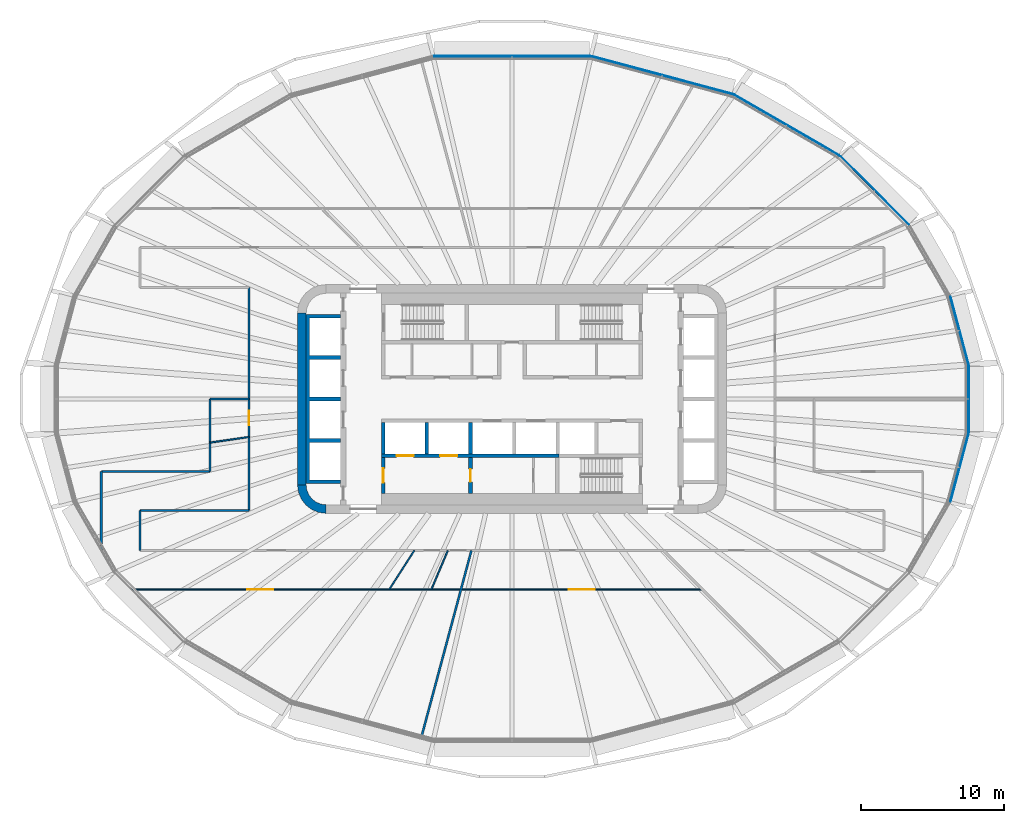
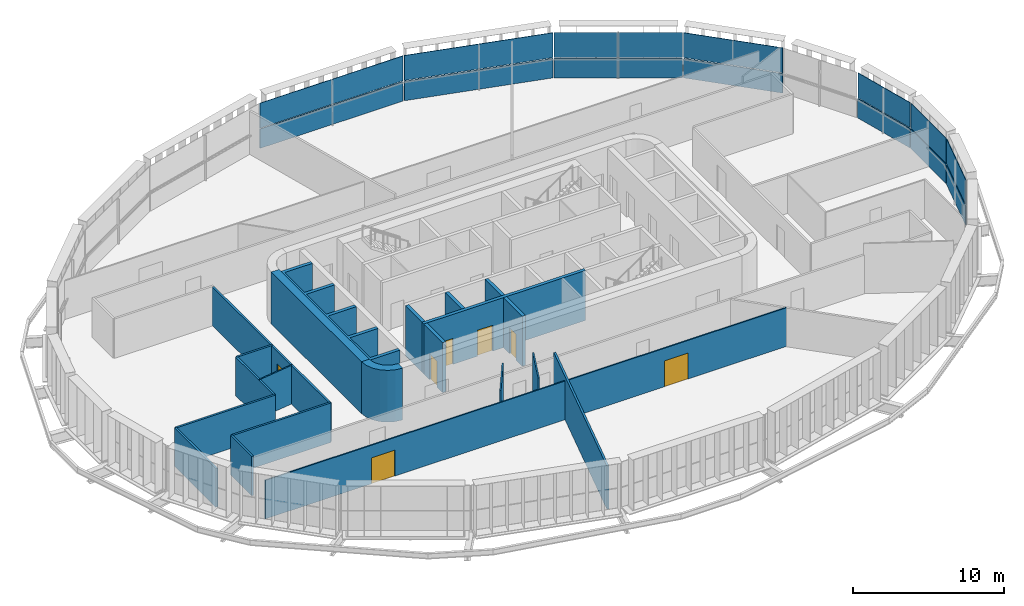
# One storey, part 14 of 25: 21 walls, 14 plates, 7 doors, 7 openings, 7 elements without a shape of their own.
"""IFC4 building model written with IfcOpenShell, lengths in metres."""

from ifc_helpers import new_model, si_unit, direction, frame, frame_2d, origin, place, context, subcontext, project, spatial, polyline, rectangle, outline, extrude, material, layer, layer_set, type_object, element, fill, aggregate, save


model = new_model("IFC4")

# Units and contexts
model_context = context("Model", 3, precision=1e-05, world=origin(), true_north=direction((0.0, 1.0)))
body_context = subcontext(model_context, "Body", "Model", "MODEL_VIEW")
ifc_project = project(units=[si_unit("LENGTHUNIT", "METRE"), si_unit("AREAUNIT", "SQUARE_METRE"), si_unit("VOLUMEUNIT", "CUBIC_METRE"), si_unit("PLANEANGLEUNIT", "RADIAN"), si_unit("MASSUNIT", "GRAM", prefix="KILO")], contexts=[model_context])

# Site, building, storey
site_placement = place(None, origin())
site = spatial("IfcSite", under=ifc_project, at=site_placement, CompositionType="ELEMENT")
building_placement = place(site_placement, origin())
building = spatial("IfcBuilding", under=site, at=building_placement, Name="Sahrelin Media Tower", CompositionType="ELEMENT")
storey_placement = place(building_placement, frame((0.0, 0.0, 110.39990234375)))
storey = spatial("IfcBuildingStorey", under=building, at=storey_placement, Name="L21", CompositionType="ELEMENT", Elevation=110.39990234375)

# Curtain wall, plate
ifc_material_1 = material(Name="Champagne anodised aluminium 6063-T6", Category="aluminium")
ifc_layer_1 = layer(ifc_material_1, 0.14990234375)
ifc_layer_set_1 = layer_set([ifc_layer_1], Name="Tower ribbon curtain wall")
curtain_wall_type = type_object("IfcCurtainWallType", Name="Tower ribbon curtain wall", PredefinedType="NOTDEFINED", material=ifc_layer_set_1)
curtain_wall_1_placement = place(storey_placement, frame((31.9443359375, 0.0, 0.0), z_axis=(0.0, 0.0, 1.0), x_axis=(1.0, 0.0, 0.0)))
curtain_wall_1 = element("IfcCurtainWall", 1, at=curtain_wall_1_placement, inside=storey, type_object=curtain_wall_type, Name="L21:CW:L21-00", PredefinedType="NOTDEFINED")
ifc_material_2 = material(Name="Clear low-iron glazing", Category="glass")
ifc_layer_2 = layer(ifc_material_2, 0.0400390625)
ifc_layer_set_2 = layer_set([ifc_layer_2], Name="Glazing panel 40 mm CW1")
plate_type_1 = type_object("IfcPlateType", Name="Glazing panel 40 mm CW1", PredefinedType="CURTAIN_PANEL", material=ifc_layer_set_2)
plate_1_placement = place(storey_placement, frame((31.96435546875, -2.337158203125, 1.630126953125), z_axis=(1.0, 0.0, 0.0), x_axis=(0.0, 1.0, 0.0)))
plate_1 = element("IfcPlate", 2, at=plate_1_placement, type_object=plate_type_1, Name="L21:CWP2:L21-00", PredefinedType="CURTAIN_PANEL", context=body_context, shape_type="SweptSolid", body=[
    extrude(outline(polyline([(0.0, 0.0), (4.67431640625, 0.0), (4.67431640625, 2.0185546875), (0.0, 2.0185546875), (0.0, 0.0)])), origin(), (0.0, 0.0, -1.0), 0.0400390625),
])

curtain_wall_2_placement = place(storey_placement, frame((31.298095703125, 4.798828125, 0.0), z_axis=(0.0, 0.0, 1.0), x_axis=(1.0, 0.0, 0.0)))
curtain_wall_2 = element("IfcCurtainWall", 3, at=curtain_wall_2_placement, inside=storey, type_object=curtain_wall_type, Name="L21:CW:L21-01", PredefinedType="NOTDEFINED")
plate_2_placement = place(storey_placement, frame((31.95068359375, 2.440673828125, 1.630126953125), z_axis=(0.965932017326, 0.258795938733, 0.0), x_axis=(-0.258795938733, 0.965932017326, 0.0)))
plate_2 = element("IfcPlate", 4, at=plate_2_placement, type_object=plate_type_1, Name="L21:CWP2:L21-01", PredefinedType="CURTAIN_PANEL", context=body_context, shape_type="SweptSolid", body=[
    extrude(outline(polyline([(0.0, 0.0), (4.893310546875, 0.0), (4.893310546875, 2.0185546875), (0.0, 2.0185546875), (0.0, 0.0)])), origin(), (0.0, 0.0, -1.0), 0.0400390625),
])

curtain_wall_3_placement = place(storey_placement, frame((25.371337890625, 14.5703125, 0.0), z_axis=(0.0, 0.0, 1.0), x_axis=(1.0, 0.0, 0.0)))
curtain_wall_3 = element("IfcCurtainWall", 5, at=curtain_wall_3_placement, inside=storey, type_object=curtain_wall_type, Name="L21:CW:L21-03", PredefinedType="NOTDEFINED")
plate_3_placement = place(storey_placement, frame((27.790283203125, 12.1796875, 1.630126953125), z_axis=(0.707106781187, 0.707106781187, 0.0), x_axis=(-0.707106781187, 0.707106781187, 0.0)))
plate_3 = element("IfcPlate", 6, at=plate_3_placement, type_object=plate_type_1, Name="L21:CWP2:L21-03", PredefinedType="CURTAIN_PANEL", context=body_context, shape_type="SweptSolid", body=[
    extrude(outline(polyline([(0.0, 0.0), (6.801513671875, 0.0), (6.801513671875, 2.0185546875), (0.0, 2.0185546875), (0.0, 0.0)])), origin(), (0.0, 0.0, -1.0), 0.0400390625),
])

curtain_wall_4_placement = place(storey_placement, frame((19.20751953125, 19.160400390625, 0.0), z_axis=(0.0, 0.0, 1.0), x_axis=(1.0, 0.0, 0.0)))
curtain_wall_4 = element("IfcCurtainWall", 7, at=curtain_wall_4_placement, inside=storey, type_object=curtain_wall_type, Name="L21:CW:L21-04", PredefinedType="NOTDEFINED")
plate_4_placement = place(storey_placement, frame((22.898193359375, 17.052490234375, 1.630126953125), z_axis=(0.499994284652, 0.866028703517, 0.0), x_axis=(-0.866028703517, 0.499994284652, 0.0)))
plate_4 = element("IfcPlate", 8, at=plate_4_placement, type_object=plate_type_1, Name="L21:CWP2:L21-04", PredefinedType="CURTAIN_PANEL", context=body_context, shape_type="SweptSolid", body=[
    extrude(outline(polyline([(0.0, 0.0), (8.5, 0.0), (8.5, 2.0185546875), (0.0, 2.0185546875), (0.0, 0.0)])), origin(), (0.0, 0.0, -1.0), 0.0400390625),
])

curtain_wall_5_placement = place(storey_placement, frame((10.507080078125, 22.643798828125, 0.0), z_axis=(0.0, 0.0, 1.0), x_axis=(1.0, 0.0, 0.0)))
curtain_wall_5 = element("IfcCurtainWall", 9, at=curtain_wall_5_placement, inside=storey, type_object=curtain_wall_type, Name="L21:CW:L21-05", PredefinedType="NOTDEFINED")
plate_5_placement = place(storey_placement, frame((15.4404296875, 21.342529296875, 1.630126953125), z_axis=(0.258816614048, 0.965926477685, 0.0), x_axis=(-0.965926477685, 0.258816614048, 0.0)))
plate_5 = element("IfcPlate", 10, at=plate_5_placement, type_object=plate_type_1, Name="L21:CWP2:L21-05", PredefinedType="CURTAIN_PANEL", context=body_context, shape_type="SweptSolid", body=[
    extrude(outline(polyline([(0.0, 0.0), (10.20361328125, 0.0), (10.20361328125, 2.0185546875), (0.0, 2.0185546875), (0.0, 0.0)])), origin(), (0.0, 0.0, -1.0), 0.0400390625),
])

curtain_wall_6_placement = place(storey_placement, frame((0.0, 23.97705078125, 0.0), z_axis=(0.0, 0.0, 1.0), x_axis=(1.0, 0.0, 0.0)))
curtain_wall_6 = element("IfcCurtainWall", 11, at=curtain_wall_6_placement, inside=storey, type_object=curtain_wall_type, Name="L21:CW:L21-06", PredefinedType="NOTDEFINED")
plate_6_placement = place(storey_placement, frame((5.48095703125, 23.9970703125, 1.630126953125), z_axis=(0.0, 1.0, 0.0), x_axis=(-1.0, 0.0, 0.0)))
plate_6 = element("IfcPlate", 12, at=plate_6_placement, type_object=plate_type_1, Name="L21:CWP2:L21-06", PredefinedType="CURTAIN_PANEL", context=body_context, shape_type="SweptSolid", body=[
    extrude(outline(polyline([(0.0, 0.0), (10.9619140625, 0.0), (10.9619140625, 2.0185546875), (0.0, 2.0185546875), (0.0, 0.0)])), origin(), (0.0, 0.0, -1.0), 0.0400390625),
])

curtain_wall_7_placement = place(storey_placement, frame((31.298095703125, -4.798583984375, 0.0), z_axis=(0.0, 0.0, 1.0), x_axis=(1.0, 0.0, 0.0)))
curtain_wall_7 = element("IfcCurtainWall", 13, at=curtain_wall_7_placement, inside=storey, type_object=curtain_wall_type, Name="L21:CW:L21-23", PredefinedType="NOTDEFINED")
plate_7_placement = place(storey_placement, frame((30.684326171875, -7.167236328125, 1.630126953125), z_axis=(0.965932017326, -0.258795938733, 0.0), x_axis=(0.258795938733, 0.965932017326, 0.0)))
plate_7 = element("IfcPlate", 14, at=plate_7_placement, type_object=plate_type_1, Name="L21:CWP2:L21-23", PredefinedType="CURTAIN_PANEL", context=body_context, shape_type="SweptSolid", body=[
    extrude(outline(polyline([(0.0, 0.0), (4.893310546875, 0.0), (4.893310546875, 2.0185546875), (0.0, 2.0185546875), (0.0, 0.0)])), origin(), (0.0, 0.0, -1.0), 0.0400390625),
])

# Plate
ifc_material_3 = material(Name="Insulated spandrel panel")
ifc_layer_3 = layer(ifc_material_3, 0.06005859375)
ifc_layer_set_3 = layer_set([ifc_layer_3], Name="Spandrel panel 60 mm CW1")
plate_type_2 = type_object("IfcPlateType", Name="Spandrel panel 60 mm CW1", PredefinedType="SHEET", material=ifc_layer_set_3)
plate_8_placement = place(storey_placement, frame((31.96435546875, -2.337158203125, 0.0), z_axis=(1.0, 0.0, 0.0), x_axis=(0.0, 1.0, 0.0)))
plate_8 = element("IfcPlate", 15, at=plate_8_placement, type_object=plate_type_2, Name="L21:CWP1:L21-00", PredefinedType="SHEET", context=body_context, shape_type="SweptSolid", body=[
    extrude(outline(polyline([(0.0, 0.0), (4.67431640625, 0.0), (4.67431640625, 1.570068359375), (0.0, 1.570068359375), (0.0, 0.0)])), origin(), (0.0, 0.0, -1.0), 0.06005859375),
])

aggregate(curtain_wall_1, [plate_8, plate_1])

plate_9_placement = place(storey_placement, frame((31.95068359375, 2.440673828125, 0.0), z_axis=(0.965932017326, 0.258795938733, 0.0), x_axis=(-0.258795938733, 0.965932017326, 0.0)))
plate_9 = element("IfcPlate", 16, at=plate_9_placement, type_object=plate_type_2, Name="L21:CWP1:L21-01", PredefinedType="SHEET", context=body_context, shape_type="SweptSolid", body=[
    extrude(outline(polyline([(0.0, 0.0), (4.893310546875, 0.0), (4.893310546875, 1.570068359375), (0.0, 1.570068359375), (0.0, 0.0)])), origin(), (0.0, 0.0, -1.0), 0.06005859375),
])

aggregate(curtain_wall_2, [plate_9, plate_2])

plate_10_placement = place(storey_placement, frame((27.790283203125, 12.1796875, 0.0), z_axis=(0.707106781187, 0.707106781187, 0.0), x_axis=(-0.707106781187, 0.707106781187, 0.0)))
plate_10 = element("IfcPlate", 17, at=plate_10_placement, type_object=plate_type_2, Name="L21:CWP1:L21-03", PredefinedType="SHEET", context=body_context, shape_type="SweptSolid", body=[
    extrude(outline(polyline([(0.0, 0.0), (6.801513671875, 0.0), (6.801513671875, 1.570068359375), (0.0, 1.570068359375), (0.0, 0.0)])), origin(), (0.0, 0.0, -1.0), 0.06005859375),
])

aggregate(curtain_wall_3, [plate_10, plate_3])

plate_11_placement = place(storey_placement, frame((22.898193359375, 17.052490234375, 0.0), z_axis=(0.499994284652, 0.866028703517, 0.0), x_axis=(-0.866028703517, 0.499994284652, 0.0)))
plate_11 = element("IfcPlate", 18, at=plate_11_placement, type_object=plate_type_2, Name="L21:CWP1:L21-04", PredefinedType="SHEET", context=body_context, shape_type="SweptSolid", body=[
    extrude(outline(polyline([(0.0, 0.0), (8.5, 0.0), (8.5, 1.570068359375), (0.0, 1.570068359375), (0.0, 0.0)])), origin(), (0.0, 0.0, -1.0), 0.06005859375),
])

aggregate(curtain_wall_4, [plate_11, plate_4])

plate_12_placement = place(storey_placement, frame((15.4404296875, 21.342529296875, 0.0), z_axis=(0.258816614048, 0.965926477685, 0.0), x_axis=(-0.965926477685, 0.258816614048, 0.0)))
plate_12 = element("IfcPlate", 19, at=plate_12_placement, type_object=plate_type_2, Name="L21:CWP1:L21-05", PredefinedType="SHEET", context=body_context, shape_type="SweptSolid", body=[
    extrude(outline(polyline([(0.0, 0.0), (10.20361328125, 0.0), (10.20361328125, 1.570068359375), (0.0, 1.570068359375), (0.0, 0.0)])), origin(), (0.0, 0.0, -1.0), 0.06005859375),
])

aggregate(curtain_wall_5, [plate_12, plate_5])

plate_13_placement = place(storey_placement, frame((5.48095703125, 23.9970703125, 0.0), z_axis=(0.0, 1.0, 0.0), x_axis=(-1.0, 0.0, 0.0)))
plate_13 = element("IfcPlate", 20, at=plate_13_placement, type_object=plate_type_2, Name="L21:CWP1:L21-06", PredefinedType="SHEET", context=body_context, shape_type="SweptSolid", body=[
    extrude(outline(polyline([(0.0, 0.0), (10.9619140625, 0.0), (10.9619140625, 1.570068359375), (0.0, 1.570068359375), (0.0, 0.0)])), origin(), (0.0, 0.0, -1.0), 0.06005859375),
])

aggregate(curtain_wall_6, [plate_13, plate_6])

plate_14_placement = place(storey_placement, frame((30.684326171875, -7.167236328125, 0.0), z_axis=(0.965932017326, -0.258795938733, 0.0), x_axis=(0.258795938733, 0.965932017326, 0.0)))
plate_14 = element("IfcPlate", 21, at=plate_14_placement, type_object=plate_type_2, Name="L21:CWP1:L21-23", PredefinedType="SHEET", context=body_context, shape_type="SweptSolid", body=[
    extrude(outline(polyline([(0.0, 0.0), (4.893310546875, 0.0), (4.893310546875, 1.570068359375), (0.0, 1.570068359375), (0.0, 0.0)])), origin(), (0.0, 0.0, -1.0), 0.06005859375),
])

aggregate(curtain_wall_7, [plate_14, plate_7])

# Walls
ifc_material_4 = material(Name="Concrete C60/75", Category="concrete")
ifc_layer_4 = layer(ifc_material_4, 0.60009765625)
ifc_layer_set_4 = layer_set([ifc_layer_4], Name="Core wall 600")
wall_type_1 = type_object("IfcWallType", Name="Core wall 600", PredefinedType="SHEAR", material=ifc_layer_set_4)
wall_1_placement = place(storey_placement, frame((-14.699951171875, -6.0, 0.0), z_axis=(0.0, 0.0, 1.0), x_axis=(0.0, 1.0, 0.0)))
element("IfcWall", 22, at=wall_1_placement, inside=storey, type_object=wall_type_1, Name="Core wall W L21", PredefinedType="SHEAR", context=body_context, shape_type="SweptSolid", body=[
    extrude(rectangle(XDim=12.0, YDim=0.60009765625, at=frame_2d((6.0, 0.0))), origin(), (0.0, 0.0, 1.0), 4.2001953125),
])
placement = place(storey_placement, origin())
element("IfcWall", 23, at=placement, inside=storey, type_object=wall_type_1, Name="Core wall corner SW L21", PredefinedType="SHEAR", context=body_context, shape_type="SweptSolid", body=[
    extrude(outline(polyline([(-13.0, -8.0), (-13.0, -7.394775390625), (-13.361083984375, -7.347412109375), (-13.697509765625, -7.2080078125), (-13.986328125, -6.986328125), (-14.2080078125, -6.697509765625), (-14.347412109375, -6.361083984375), (-14.394775390625, -6.0), (-15.0, -6.0), (-14.931884765625, -6.517578125), (-14.732177734375, -7.0), (-14.414306640625, -7.414306640625), (-14.0, -7.732177734375), (-13.517578125, -7.931884765625), (-13.0, -8.0)])), origin(), (0.0, 0.0, 1.0), 4.2001953125),
])
ifc_material_5 = material(Name="Fire-rated gypsum board partition")
ifc_layer_5 = layer(ifc_material_5, 0.14990234375)
ifc_layer_set_5 = layer_set([ifc_layer_5], Name="Fire-rated partition 150")
wall_type_2 = type_object("IfcWallType", Name="Fire-rated partition 150", PredefinedType="PARTITIONING", material=ifc_layer_set_5)
wall_3_placement = place(storey_placement, frame((-26.0, -7.800048828125, 0.0), z_axis=(0.0, 0.0, 1.0), x_axis=(1.0, 0.0, 0.0)))
element("IfcWall", 24, at=wall_3_placement, inside=storey, type_object=wall_type_2, Name="Wall", PredefinedType="PARTITIONING", context=body_context, shape_type="SweptSolid", body=[
    extrude(rectangle(XDim=7.60009765625, YDim=0.14990234375, at=frame_2d((3.800048828125, 0.0))), origin(), (0.0, 0.0, 1.0), 3.1953125),
])
wall_4_placement = place(storey_placement, frame((-28.719970703125, -5.080078125, 0.0), z_axis=(0.0, 0.0, 1.0), x_axis=(1.0, 0.0, 0.0)))
element("IfcWall", 25, at=wall_4_placement, inside=storey, type_object=wall_type_2, Name="Wall", PredefinedType="PARTITIONING", context=body_context, shape_type="SweptSolid", body=[
    extrude(rectangle(XDim=7.599853515625, YDim=0.14990234375, at=frame_2d((3.7998046875, 0.0))), origin(), (0.0, 0.0, 1.0), 3.127197265625),
])
wall_5_placement = place(storey_placement, frame((-21.1201171875, 0.0, 0.0), z_axis=(0.0, 0.0, 1.0), x_axis=(1.0, 0.0, 0.0)))
element("IfcWall", 26, at=wall_5_placement, inside=storey, type_object=wall_type_2, Name="Wall", PredefinedType="PARTITIONING", context=body_context, shape_type="SweptSolid", body=[
    extrude(rectangle(XDim=2.72021484375, YDim=0.14990234375, at=frame_2d((1.360107421875, 0.0))), origin(), (0.0, 0.0, 1.0), 3.118408203125),
])
wall_6_placement = place(storey_placement, frame((-6.364990234375, -23.75390625, 0.0), z_axis=(0.0, 0.0, 1.0), x_axis=(0.258859748235, 0.965914918998, 0.0)))
element("IfcWall", 27, at=wall_6_placement, inside=storey, type_object=wall_type_2, Name="Wall", PredefinedType="PARTITIONING", context=body_context, shape_type="SweptSolid", body=[
    extrude(rectangle(XDim=13.617919921875, YDim=0.14990234375, at=frame_2d((6.80908203125, 0.0))), origin(), (0.0, 0.0, 1.0), 3.501708984375),
])

# Wall, opening, door
wall_7_placement = place(storey_placement, frame((-18.39990234375, -7.800048828125, 0.0), z_axis=(0.0, 0.0, 1.0), x_axis=(0.0, 1.0, 0.0)))
wall_7 = element("IfcWall", 28, at=wall_7_placement, inside=storey, type_object=wall_type_2, Name="Wall", PredefinedType="PARTITIONING", context=body_context, shape_type="SweptSolid", body=[
    extrude(rectangle(XDim=15.60009765625, YDim=0.14990234375, at=frame_2d((7.800048828125, 0.0))), origin(), (0.0, 0.0, 1.0), 3.118408203125),
])
opening_1_placement = place(wall_7_placement, frame((5.971435546875, 0.0, 0.0)))
opening_1 = element("IfcOpeningElement", 29, at=opening_1_placement, cuts=wall_7, Name="Opening L21-D25", PredefinedType="OPENING", context=body_context, shape_type="SweptSolid", body=[
    extrude(rectangle(XDim=1.0, YDim=2.10009765625, at=frame_2d((0.5, 1.050048828125))), frame((0.0, 0.074951171875, 0.0), z_axis=(0.0, -1.0, 0.0), x_axis=(1.0, 0.0, 0.0)), (0.0, 0.0, 1.0), 0.14990234375),
])
ifc_material_6 = material(Name="Steel fire door leaf", Category="steel")
door_type_1 = type_object("IfcDoorType", Name="Fire door 1000 x 2100 EI 60", OperationType="NOTDEFINED", PredefinedType="DOOR", material=ifc_material_6)
door_1_placement = place(opening_1_placement, origin())
door_1 = element("IfcDoor", 30, at=door_1_placement, inside=storey, type_object=door_type_1, Name="Fire door", OperationType="SINGLE_SWING_LEFT", OverallHeight=2.10009765625, OverallWidth=1.0, PredefinedType="DOOR", context=body_context, shape_type="SweptSolid", body=[
    extrude(rectangle(XDim=1.0, YDim=2.10009765625, at=frame_2d((0.5, 1.050048828125))), frame((0.0, 0.02490234375, 0.0), z_axis=(0.0, -1.0, 0.0), x_axis=(1.0, 0.0, 0.0)), (0.0, 0.0, 1.0), 0.050048828125),
])
fill(opening_1, door_1)

# Walls
wall_8_placement = place(storey_placement, frame((-21.1201171875, -5.080078125, 0.0), z_axis=(0.0, 0.0, 1.0), x_axis=(0.0, 1.0, 0.0)))
element("IfcWall", 31, at=wall_8_placement, inside=storey, type_object=wall_type_2, Name="Wall", PredefinedType="PARTITIONING", context=body_context, shape_type="SweptSolid", body=[
    extrude(rectangle(XDim=5.080078125, YDim=0.14990234375, at=frame_2d((2.5400390625, 0.0))), origin(), (0.0, 0.0, 1.0), 3.118408203125),
])
wall_9_placement = place(storey_placement, frame((-26.0, -10.60009765625, 0.0), z_axis=(0.0, 0.0, 1.0), x_axis=(0.0, 1.0, 0.0)))
element("IfcWall", 32, at=wall_9_placement, inside=storey, type_object=wall_type_2, Name="Wall", PredefinedType="PARTITIONING", context=body_context, shape_type="SweptSolid", body=[
    extrude(rectangle(XDim=2.800048828125, YDim=0.14990234375, at=frame_2d((1.39990234375, 0.0))), origin(), (0.0, 0.0, 1.0), 3.1953125),
])
wall_10_placement = place(storey_placement, frame((-28.719970703125, -10.555908203125, 0.0), z_axis=(0.0, 0.0, 1.0), x_axis=(0.0, 1.0, 0.0)))
element("IfcWall", 33, at=wall_10_placement, inside=storey, type_object=wall_type_2, Name="Wall", PredefinedType="PARTITIONING", context=body_context, shape_type="SweptSolid", body=[
    extrude(rectangle(XDim=5.475830078125, YDim=0.14990234375, at=frame_2d((2.73779296875, 0.0))), origin(), (0.0, 0.0, 1.0), 3.127197265625),
])

# Wall, opening, door
ifc_layer_6 = layer(ifc_material_5, 0.25)
ifc_layer_set_6 = layer_set([ifc_layer_6], Name="Firefighting lobby wall 250")
wall_type_3 = type_object("IfcWallType", Name="Firefighting lobby wall 250", PredefinedType="PARTITIONING", material=ifc_layer_set_6)
wall_11_placement = place(storey_placement, frame((-9.0, -6.60009765625, 0.0), z_axis=(0.0, 0.0, 1.0), x_axis=(0.0, 1.0, 0.0)))
wall_11 = element("IfcWall", 34, at=wall_11_placement, inside=storey, type_object=wall_type_3, Name="Core wall", PredefinedType="PARTITIONING", context=body_context, shape_type="SweptSolid", body=[
    extrude(rectangle(XDim=2.5, YDim=0.25, at=frame_2d((1.25, 0.0))), origin(), (0.0, 0.0, 1.0), 4.050048828125),
])
opening_2_placement = place(wall_11_placement, frame((0.75, 0.0, 0.0)))
opening_2 = element("IfcOpeningElement", 35, at=opening_2_placement, cuts=wall_11, Name="Opening L21-D04", PredefinedType="OPENING", context=body_context, shape_type="SweptSolid", body=[
    extrude(rectangle(XDim=1.0, YDim=2.10009765625, at=frame_2d((0.5, 1.050048828125))), frame((0.0, 0.125, 0.0), z_axis=(0.0, -1.0, 0.0), x_axis=(1.0, 0.0, 0.0)), (0.0, 0.0, 1.0), 0.25),
])
door_type_2 = type_object("IfcDoorType", Name="Firefighting lobby door 1000 x 2100 EI 120", OperationType="NOTDEFINED", PredefinedType="DOOR", material=ifc_material_6)
door_2_placement = place(opening_2_placement, origin())
door_2 = element("IfcDoor", 36, at=door_2_placement, inside=storey, type_object=door_type_2, Name="Firefighting lobby door", OperationType="SINGLE_SWING_LEFT", OverallHeight=2.10009765625, OverallWidth=1.0, PredefinedType="DOOR", context=body_context, shape_type="SweptSolid", body=[
    extrude(rectangle(XDim=1.0, YDim=2.10009765625, at=frame_2d((0.5, 1.050048828125))), frame((0.0, 0.02490234375, 0.0), z_axis=(0.0, -1.0, 0.0), x_axis=(1.0, 0.0, 0.0)), (0.0, 0.0, 1.0), 0.050048828125),
])
fill(opening_2, door_2)

wall_12_placement = place(storey_placement, frame((-2.89990234375, -6.60009765625, 0.0), z_axis=(0.0, 0.0, 1.0), x_axis=(0.0, 1.0, 0.0)))
wall_12 = element("IfcWall", 37, at=wall_12_placement, inside=storey, type_object=wall_type_3, Name="Core wall", PredefinedType="PARTITIONING", context=body_context, shape_type="SweptSolid", body=[
    extrude(rectangle(XDim=2.5, YDim=0.25, at=frame_2d((1.25, 0.0))), origin(), (0.0, 0.0, 1.0), 4.050048828125),
])
opening_3_placement = place(wall_12_placement, frame((0.800048828125, 0.0, 0.0)))
opening_3 = element("IfcOpeningElement", 38, at=opening_3_placement, cuts=wall_12, Name="Opening L21-D05", PredefinedType="OPENING", context=body_context, shape_type="SweptSolid", body=[
    extrude(rectangle(XDim=0.89990234375, YDim=2.10009765625, at=frame_2d((0.449951171875, 1.050048828125))), frame((0.0, 0.125, 0.0), z_axis=(0.0, -1.0, 0.0), x_axis=(1.0, 0.0, 0.0)), (0.0, 0.0, 1.0), 0.25),
])
door_type_3 = type_object("IfcDoorType", Name="Firefighting lobby door 900 x 2100 EI 120", OperationType="NOTDEFINED", PredefinedType="DOOR", material=ifc_material_6)
door_3_placement = place(opening_3_placement, origin())
door_3 = element("IfcDoor", 39, at=door_3_placement, inside=storey, type_object=door_type_3, Name="Riser door", OperationType="SINGLE_SWING_RIGHT", OverallHeight=2.10009765625, OverallWidth=0.89990234375, PredefinedType="DOOR", context=body_context, shape_type="SweptSolid", body=[
    extrude(rectangle(XDim=0.89990234375, YDim=2.10009765625, at=frame_2d((0.449951171875, 1.050048828125))), frame((0.0, 0.02490234375, 0.0), z_axis=(0.0, -1.0, 0.0), x_axis=(1.0, 0.0, 0.0)), (0.0, 0.0, 1.0), 0.050048828125),
])
fill(opening_3, door_3)

# Wall, openings, doors
ifc_layer_7 = layer(ifc_material_4, 0.25)
ifc_layer_set_7 = layer_set([ifc_layer_7], Name="Lift shaft wall 250")
wall_type_4 = type_object("IfcWallType", Name="Lift shaft wall 250", PredefinedType="SOLIDWALL", material=ifc_layer_set_7)
wall_13_placement = place(storey_placement, frame((-9.125, -3.97509765625, 0.0), z_axis=(0.0, 0.0, 1.0), x_axis=(1.0, 0.0, 0.0)))
wall_13 = element("IfcWall", 40, at=wall_13_placement, inside=storey, type_object=wall_type_4, Name="Lift shaft wall", PredefinedType="SOLIDWALL", context=body_context, shape_type="SweptSolid", body=[
    extrude(rectangle(XDim=12.39990234375, YDim=0.25, at=frame_2d((6.199951171875, 0.0))), origin(), (0.0, 0.0, 1.0), 4.050048828125),
])
opening_4_placement = place(wall_13_placement, frame((1.050048828125, 0.0, 0.0)))
opening_4 = element("IfcOpeningElement", 41, at=opening_4_placement, cuts=wall_13, Name="Opening L21-LD-FF1", PredefinedType="OPENING", context=body_context, shape_type="SweptSolid", body=[
    extrude(rectangle(XDim=1.199951171875, YDim=2.10009765625, at=frame_2d((0.60009765625, 1.050048828125))), frame((0.0, 0.125, 0.0), z_axis=(0.0, -1.0, 0.0), x_axis=(1.0, 0.0, 0.0)), (0.0, 0.0, 1.0), 0.25),
])
opening_5_placement = place(wall_13_placement, frame((4.10009765625, 0.0, 0.0)))
opening_5 = element("IfcOpeningElement", 42, at=opening_5_placement, cuts=wall_13, Name="Opening L21-LD-FF2", PredefinedType="OPENING", context=body_context, shape_type="SweptSolid", body=[
    extrude(rectangle(XDim=1.199951171875, YDim=2.10009765625, at=frame_2d((0.60009765625, 1.050048828125))), frame((0.0, 0.125, 0.0), z_axis=(0.0, -1.0, 0.0), x_axis=(1.0, 0.0, 0.0)), (0.0, 0.0, 1.0), 0.25),
])
ifc_material_7 = material(Name="Stainless steel", Category="steel")
door_type_4 = type_object("IfcDoorType", Name="Lift landing door 1200 x 2100 EI 120", OperationType="DOUBLE_DOOR_SLIDING", PredefinedType="DOOR", material=ifc_material_7)
door_4_placement = place(opening_4_placement, origin())
door_4 = element("IfcDoor", 43, at=door_4_placement, inside=storey, type_object=door_type_4, Name="Lift landing door FF1", OperationType="DOUBLE_DOOR_SLIDING", OverallHeight=2.10009765625, OverallWidth=1.199951171875, PredefinedType="DOOR", context=body_context, shape_type="SweptSolid", body=[
    extrude(rectangle(XDim=1.199951171875, YDim=2.10009765625, at=frame_2d((0.60009765625, 1.050048828125))), frame((0.0, 0.02490234375, 0.0), z_axis=(0.0, -1.0, 0.0), x_axis=(1.0, 0.0, 0.0)), (0.0, 0.0, 1.0), 0.050048828125),
])
fill(opening_4, door_4)
door_5_placement = place(opening_5_placement, origin())
door_5 = element("IfcDoor", 44, at=door_5_placement, inside=storey, type_object=door_type_4, Name="Lift landing door FF2", OperationType="DOUBLE_DOOR_SLIDING", OverallHeight=2.10009765625, OverallWidth=1.199951171875, PredefinedType="DOOR", context=body_context, shape_type="SweptSolid", body=[
    extrude(rectangle(XDim=1.199951171875, YDim=2.10009765625, at=frame_2d((0.60009765625, 1.050048828125))), frame((0.0, 0.02490234375, 0.0), z_axis=(0.0, -1.0, 0.0), x_axis=(1.0, 0.0, 0.0)), (0.0, 0.0, 1.0), 0.050048828125),
])
fill(opening_5, door_5)

# Walls
for number, where, z_axis, x_axis, name in (
    (45, (-9.0, -3.85009765625, 0.0), (0.0, 0.0, 1.0), (0.0, 1.0, 0.0), "Lift shaft wall"),
    (46, (-5.949951171875, -3.85009765625, 0.0), (0.0, 0.0, 1.0), (0.0, 1.0, 0.0), "Lift shaft wall"),
    (47, (-2.89990234375, -3.85009765625, 0.0), (0.0, 0.0, 1.0), (0.0, 1.0, 0.0), "Lift shaft wall"),
):
    element("IfcWall", number, at=place(storey_placement, frame(where, z_axis=z_axis, x_axis=x_axis)), inside=storey, type_object=wall_type_4, Name=name, PredefinedType="SOLIDWALL", context=body_context, shape_type="SweptSolid", body=[
        extrude(rectangle(XDim=2.2001953125, YDim=0.25, at=frame_2d((1.10009765625, 0.0))), origin(), (0.0, 0.0, 1.0), 4.050048828125),
    ])
element("IfcWall", 48, at=placement, inside=storey, type_object=wall_type_4, Name="Lift shaft wall", PredefinedType="SOLIDWALL", context=body_context, shape_type="SweptSolid", body=[
    extrude(outline(polyline([(-12.0, -5.925048828125), (-12.0, -5.675048828125), (-14.14990234375, -5.675048828125), (-14.14990234375, -3.02490234375), (-12.0, -3.02490234375), (-12.0, -2.77490234375), (-14.14990234375, -2.77490234375), (-14.14990234375, -0.125), (-12.0, -0.125), (-12.0, 0.125), (-14.14990234375, 0.125), (-14.14990234375, 2.77490234375), (-12.0, 2.77490234375), (-12.0, 3.02490234375), (-14.14990234375, 3.02490234375), (-14.14990234375, 5.675048828125), (-12.0, 5.675048828125), (-12.0, 5.925048828125), (-14.14990234375, 5.925048828125), (-14.39990234375, 5.925048828125), (-14.39990234375, 5.675048828125), (-14.39990234375, 3.02490234375), (-14.39990234375, 2.77490234375), (-14.39990234375, 0.125), (-14.39990234375, -0.125), (-14.39990234375, -2.77490234375), (-14.39990234375, -3.02490234375), (-14.39990234375, -5.675048828125), (-14.39990234375, -5.925048828125), (-14.14990234375, -5.925048828125), (-12.0, -5.925048828125)])), origin(), (0.0, 0.0, 1.0), 4.050048828125),
])

# Wall, openings, doors
ifc_material_8 = material(Name="Gypsum board partition")
ifc_layer_8 = layer(ifc_material_8, 0.10009765625)
ifc_layer_set_8 = layer_set([ifc_layer_8], Name="Partition 100")
wall_type_5 = type_object("IfcWallType", Name="Partition 100", PredefinedType="PARTITIONING", material=ifc_layer_set_8)
wall_15_placement = place(storey_placement, frame((-26.62109375, -13.320068359375, 0.0), z_axis=(0.0, 0.0, 1.0), x_axis=(1.0, 0.0, 0.0)))
wall_15 = element("IfcWall", 49, at=wall_15_placement, inside=storey, type_object=wall_type_5, Name="Wall", PredefinedType="PARTITIONING", context=body_context, shape_type="SweptSolid", body=[
    extrude(rectangle(XDim=39.941162109375, YDim=0.10009765625, at=frame_2d((19.970703125, 0.0))), origin(), (0.0, 0.0, 1.0), 3.127197265625),
])
opening_6_placement = place(wall_15_placement, frame((8.117919921875, 0.0, 0.0)))
opening_6 = element("IfcOpeningElement", 50, at=opening_6_placement, cuts=wall_15, Name="Opening L21-D29", PredefinedType="OPENING", context=body_context, shape_type="SweptSolid", body=[
    extrude(rectangle(XDim=1.800048828125, YDim=2.10009765625, at=frame_2d((0.89990234375, 1.050048828125))), frame((0.0, 0.050048828125, 0.0), z_axis=(0.0, -1.0, 0.0), x_axis=(1.0, 0.0, 0.0)), (0.0, 0.0, 1.0), 0.10009765625),
])
opening_7_placement = place(wall_15_placement, frame((30.596435546875, 0.0, 0.0)))
opening_7 = element("IfcOpeningElement", 51, at=opening_7_placement, cuts=wall_15, Name="Opening L21-D31", PredefinedType="OPENING", context=body_context, shape_type="SweptSolid", body=[
    extrude(rectangle(XDim=1.800048828125, YDim=2.10009765625, at=frame_2d((0.89990234375, 1.050048828125))), frame((0.0, 0.050048828125, 0.0), z_axis=(0.0, -1.0, 0.0), x_axis=(1.0, 0.0, 0.0)), (0.0, 0.0, 1.0), 0.10009765625),
])
ifc_material_9 = material(Name="Timber door leaf", Category="wood")
door_type_5 = type_object("IfcDoorType", Name="Double door 1800 x 2100", OperationType="DOUBLE_DOOR_SINGLE_SWING", PredefinedType="DOOR", material=ifc_material_9)
door_6_placement = place(opening_6_placement, origin())
door_6 = element("IfcDoor", 52, at=door_6_placement, inside=storey, type_object=door_type_5, Name="Double door", OperationType="DOUBLE_DOOR_SINGLE_SWING", OverallHeight=2.10009765625, OverallWidth=1.800048828125, PredefinedType="DOOR", context=body_context, shape_type="SweptSolid", body=[
    extrude(rectangle(XDim=1.800048828125, YDim=2.10009765625, at=frame_2d((0.89990234375, 1.050048828125))), frame((0.0, 0.02490234375, 0.0), z_axis=(0.0, -1.0, 0.0), x_axis=(1.0, 0.0, 0.0)), (0.0, 0.0, 1.0), 0.050048828125),
])
fill(opening_6, door_6)
door_7_placement = place(opening_7_placement, origin())
door_7 = element("IfcDoor", 53, at=door_7_placement, inside=storey, type_object=door_type_5, Name="Double door", OperationType="DOUBLE_DOOR_SINGLE_SWING", OverallHeight=2.10009765625, OverallWidth=1.800048828125, PredefinedType="DOOR", context=body_context, shape_type="SweptSolid", body=[
    extrude(rectangle(XDim=1.800048828125, YDim=2.10009765625, at=frame_2d((0.89990234375, 1.050048828125))), frame((0.0, 0.02490234375, 0.0), z_axis=(0.0, -1.0, 0.0), x_axis=(1.0, 0.0, 0.0)), (0.0, 0.0, 1.0), 0.050048828125),
])
fill(opening_7, door_7)

# Walls
wall_16_placement = place(storey_placement, frame((-21.1201171875, -3.050048828125, 0.0), z_axis=(0.0, 0.0, 1.0), x_axis=(0.989720814385, 0.143012969948, 0.0)))
element("IfcWall", 54, at=wall_16_placement, inside=storey, type_object=wall_type_5, Name="Wall", PredefinedType="PARTITIONING", context=body_context, shape_type="SweptSolid", body=[
    extrude(rectangle(XDim=2.74853515625, YDim=0.10009765625, at=frame_2d((1.374267578125, 0.0))), origin(), (0.0, 0.0, 1.0), 3.127197265625),
])
wall_17_placement = place(storey_placement, frame((-8.5849609375, -13.320068359375, 0.0), z_axis=(0.0, 0.0, 1.0), x_axis=(0.541714364577, 0.840562637292, 0.0)))
element("IfcWall", 55, at=wall_17_placement, inside=storey, type_object=wall_type_5, Name="Wall", PredefinedType="PARTITIONING", context=body_context, shape_type="SweptSolid", body=[
    extrude(rectangle(XDim=3.23583984375, YDim=0.10009765625, at=frame_2d((1.617919921875, 0.0))), origin(), (0.0, 0.0, 1.0), 4.050048828125),
])
wall_18_placement = place(storey_placement, frame((-5.637939453125, -13.320068359375, 0.0), z_axis=(0.0, 0.0, 1.0), x_axis=(0.389675047284, 0.920952418708, 0.0)))
element("IfcWall", 56, at=wall_18_placement, inside=storey, type_object=wall_type_5, Name="Wall", PredefinedType="PARTITIONING", context=body_context, shape_type="SweptSolid", body=[
    extrude(rectangle(XDim=2.953369140625, YDim=0.10009765625, at=frame_2d((1.4765625, 0.0))), origin(), (0.0, 0.0, 1.0), 4.050048828125),
])

save(model, "model.ifc")
